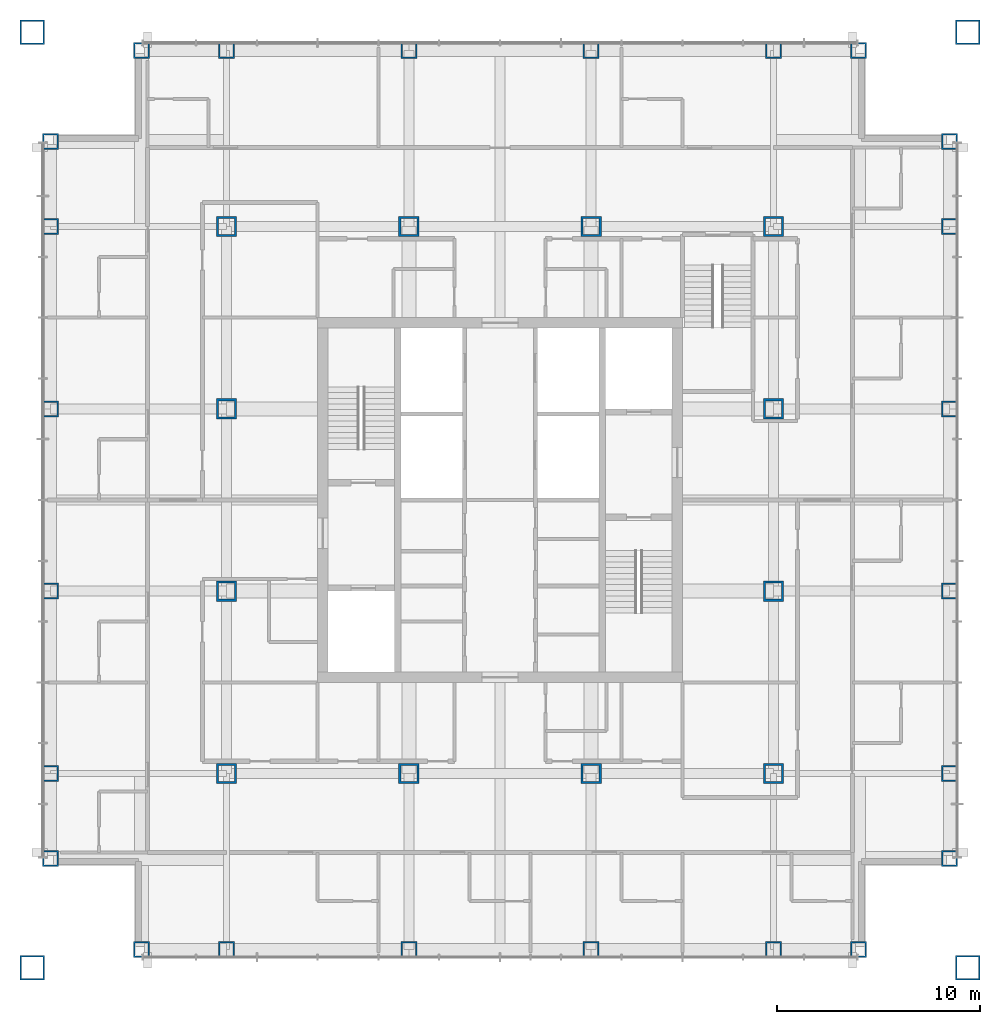
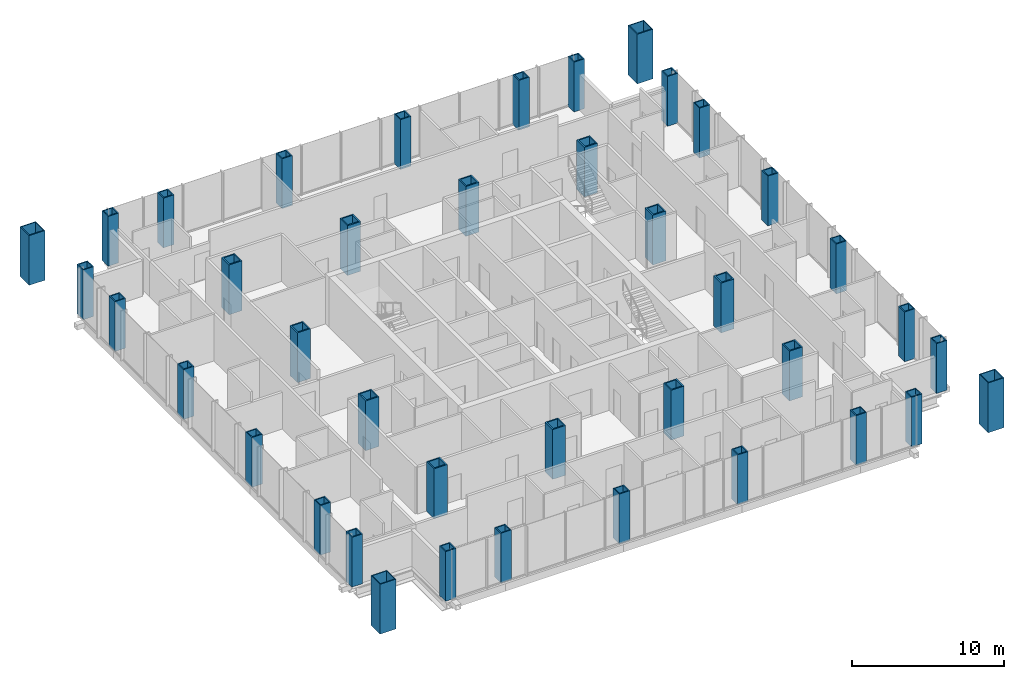
# One storey, part 1 of 11: 40 columns.
"""IFC4 building model written with IfcOpenShell, lengths in metres."""

from ifc_helpers import new_model, si_unit, direction, frame, origin, origin_2d, place, context, subcontext, project, spatial, hollow_rectangle, extrude, material, material_profile, profile_set, type_object, element, save


model = new_model("IFC4")

# Units and contexts
model_context = context("Model", 3, precision=1e-05, world=origin(), true_north=direction((0.0, 1.0)))
body_context = subcontext(model_context, "Body", "Model", "MODEL_VIEW")
ifc_project = project(units=[si_unit("LENGTHUNIT", "METRE"), si_unit("AREAUNIT", "SQUARE_METRE"), si_unit("VOLUMEUNIT", "CUBIC_METRE"), si_unit("PLANEANGLEUNIT", "RADIAN"), si_unit("MASSUNIT", "GRAM", prefix="KILO")], contexts=[model_context])

# Site, building, storey
site_placement = place(None, origin())
site = spatial("IfcSite", under=ifc_project, at=site_placement, CompositionType="ELEMENT")
building_placement = place(site_placement, origin())
building = spatial("IfcBuilding", under=site, at=building_placement, Name="Malebo Sky Hospital", CompositionType="ELEMENT")
storey_placement = place(building_placement, frame((0.0, 0.0, 205.0)))
storey = spatial("IfcBuildingStorey", under=building, at=storey_placement, Name="L49", CompositionType="ELEMENT", Elevation=205.0)

# Columns
ifc_material = material(Name="Steel S460", Category="steel")
ifc_material_profile_1 = material_profile(ifc_material, hollow_rectangle(XDim=1.0, YDim=1.0, WallThickness=0.10009765625, at=origin_2d()), Name="BOX 1000x1000x100")
ifc_profile_set_1 = profile_set([ifc_material_profile_1], Name="Steel S460")
column_type_1 = type_object("IfcColumnType", Name="INNER COLUMN BOX 1000x1000x100", PredefinedType="COLUMN", material=ifc_profile_set_1)
for number, where, z_axis, x_axis, name in (
    (1, (46.5, 48.5, 0.0), (0.0, 0.0, 1.0), (1.0, 0.0, 0.0), "Column IC9 L49"),
    (2, (73.5, 48.5, 0.0), (0.0, 0.0, 1.0), (1.0, 0.0, 0.0), "Column IC9 L49"),
    (3, (73.5, 75.5, 0.0), (0.0, 0.0, 1.0), (1.0, 0.0, 0.0), "Column IC9 L49"),
    (4, (46.5, 75.5, 0.0), (0.0, 0.0, 1.0), (1.0, 0.0, 0.0), "Column IC9 L49"),
    (5, (55.5, 48.5, 0.0), (0.0, 0.0, 1.0), (1.0, 0.0, 0.0), "Column IC9 L49"),
    (6, (64.5, 48.5, 0.0), (0.0, 0.0, 1.0), (1.0, 0.0, 0.0), "Column IC9 L49"),
    (7, (55.5, 75.5, 0.0), (0.0, 0.0, 1.0), (1.0, 0.0, 0.0), "Column IC9 L49"),
    (8, (64.5, 75.5, 0.0), (0.0, 0.0, 1.0), (1.0, 0.0, 0.0), "Column IC9 L49"),
    (9, (46.5, 57.5, 0.0), (0.0, 0.0, 1.0), (1.0, 0.0, 0.0), "Column IC9 L49"),
    (10, (46.5, 66.5, 0.0), (0.0, 0.0, 1.0), (1.0, 0.0, 0.0), "Column IC9 L49"),
    (11, (73.5, 57.5, 0.0), (0.0, 0.0, 1.0), (1.0, 0.0, 0.0), "Column IC9 L49"),
    (12, (73.5, 66.5, 0.0), (0.0, 0.0, 1.0), (1.0, 0.0, 0.0), "Column IC9 L49"),
):
    element("IfcColumn", number, at=place(storey_placement, frame(where, z_axis=z_axis, x_axis=x_axis)), inside=storey, type_object=column_type_1, Name=name, PredefinedType="COLUMN", context=body_context, shape_type="SweptSolid", body=[
        extrude(hollow_rectangle(XDim=1.0, YDim=1.0, WallThickness=0.10009765625, at=origin_2d()), origin(), (0.0, 0.0, 1.0), 4.0),
    ])
ifc_material_profile_2 = material_profile(ifc_material, hollow_rectangle(XDim=1.199951171875, YDim=1.199951171875, WallThickness=0.070068359375, at=origin_2d()), Name="BOX 1200x1200x70")
ifc_profile_set_2 = profile_set([ifc_material_profile_2], Name="Steel S460")
column_type_2 = type_object("IfcColumnType", Name="MEGA COLUMN BOX 1200x1200x70", PredefinedType="COLUMN", material=ifc_profile_set_2)
for number, where, z_axis, x_axis, name in (
    (13, (36.89990234375, 38.89990234375, 0.0), (0.0, 0.0, 1.0), (1.0, 0.0, 0.0), "Mega column SW L49"),
    (14, (83.10009765625, 38.89990234375, 0.0), (0.0, 0.0, 1.0), (1.0, 0.0, 0.0), "Mega column SE L49"),
    (15, (83.10009765625, 85.10009765625, 0.0), (0.0, 0.0, 1.0), (1.0, 0.0, 0.0), "Mega column NE L49"),
    (16, (36.89990234375, 85.10009765625, 0.0), (0.0, 0.0, 1.0), (1.0, 0.0, 0.0), "Mega column NW L49"),
):
    element("IfcColumn", number, at=place(storey_placement, frame(where, z_axis=z_axis, x_axis=x_axis)), inside=storey, type_object=column_type_2, Name=name, PredefinedType="COLUMN", context=body_context, shape_type="SweptSolid", body=[
        extrude(hollow_rectangle(XDim=1.199951171875, YDim=1.199951171875, WallThickness=0.070068359375, at=origin_2d()), origin(), (0.0, 0.0, 1.0), 4.0),
    ])
ifc_material_profile_3 = material_profile(ifc_material, hollow_rectangle(XDim=0.800048828125, YDim=0.800048828125, WallThickness=0.080078125, at=origin_2d()), Name="BOX 800x800x80")
ifc_profile_set_3 = profile_set([ifc_material_profile_3], Name="Steel S460")
column_type_3 = type_object("IfcColumnType", Name="PERIMETER COLUMN BOX 800x800x80", PredefinedType="COLUMN", material=ifc_profile_set_3)
for number, where, z_axis, x_axis, name in (
    (17, (42.300048828125, 39.800048828125, 0.0), (0.0, 0.0, 1.0), (1.0, 0.0, 0.0), "Column PC7 L49"),
    (18, (42.300048828125, 84.199951171875, 0.0), (0.0, 0.0, 1.0), (1.0, 0.0, 0.0), "Column PC7 L49"),
    (19, (37.800048828125, 44.300048828125, 0.0), (0.0, 0.0, 1.0), (1.0, 0.0, 0.0), "Column PC7 L49"),
    (20, (82.199951171875, 44.300048828125, 0.0), (0.0, 0.0, 1.0), (1.0, 0.0, 0.0), "Column PC7 L49"),
    (21, (46.5, 39.800048828125, 0.0), (0.0, 0.0, 1.0), (1.0, 0.0, 0.0), "Column PC7 L49"),
    (22, (46.5, 84.199951171875, 0.0), (0.0, 0.0, 1.0), (1.0, 0.0, 0.0), "Column PC7 L49"),
    (23, (37.800048828125, 48.5, 0.0), (0.0, 0.0, 1.0), (1.0, 0.0, 0.0), "Column PC7 L49"),
    (24, (82.199951171875, 48.5, 0.0), (0.0, 0.0, 1.0), (1.0, 0.0, 0.0), "Column PC7 L49"),
    (25, (55.5, 39.800048828125, 0.0), (0.0, 0.0, 1.0), (1.0, 0.0, 0.0), "Column PC7 L49"),
    (26, (55.5, 84.199951171875, 0.0), (0.0, 0.0, 1.0), (1.0, 0.0, 0.0), "Column PC7 L49"),
    (27, (37.800048828125, 57.5, 0.0), (0.0, 0.0, 1.0), (1.0, 0.0, 0.0), "Column PC7 L49"),
    (28, (82.199951171875, 57.5, 0.0), (0.0, 0.0, 1.0), (1.0, 0.0, 0.0), "Column PC7 L49"),
    (29, (64.5, 39.800048828125, 0.0), (0.0, 0.0, 1.0), (1.0, 0.0, 0.0), "Column PC7 L49"),
    (30, (64.5, 84.199951171875, 0.0), (0.0, 0.0, 1.0), (1.0, 0.0, 0.0), "Column PC7 L49"),
    (31, (37.800048828125, 66.5, 0.0), (0.0, 0.0, 1.0), (1.0, 0.0, 0.0), "Column PC7 L49"),
    (32, (82.199951171875, 66.5, 0.0), (0.0, 0.0, 1.0), (1.0, 0.0, 0.0), "Column PC7 L49"),
    (33, (73.5, 39.800048828125, 0.0), (0.0, 0.0, 1.0), (1.0, 0.0, 0.0), "Column PC7 L49"),
    (34, (73.5, 84.199951171875, 0.0), (0.0, 0.0, 1.0), (1.0, 0.0, 0.0), "Column PC7 L49"),
    (35, (37.800048828125, 75.5, 0.0), (0.0, 0.0, 1.0), (1.0, 0.0, 0.0), "Column PC7 L49"),
    (36, (82.199951171875, 75.5, 0.0), (0.0, 0.0, 1.0), (1.0, 0.0, 0.0), "Column PC7 L49"),
    (37, (77.699951171875, 39.800048828125, 0.0), (0.0, 0.0, 1.0), (1.0, 0.0, 0.0), "Column PC7 L49"),
    (38, (77.699951171875, 84.199951171875, 0.0), (0.0, 0.0, 1.0), (1.0, 0.0, 0.0), "Column PC7 L49"),
    (39, (37.800048828125, 79.699951171875, 0.0), (0.0, 0.0, 1.0), (1.0, 0.0, 0.0), "Column PC7 L49"),
    (40, (82.199951171875, 79.699951171875, 0.0), (0.0, 0.0, 1.0), (1.0, 0.0, 0.0), "Column PC7 L49"),
):
    element("IfcColumn", number, at=place(storey_placement, frame(where, z_axis=z_axis, x_axis=x_axis)), inside=storey, type_object=column_type_3, Name=name, PredefinedType="COLUMN", context=body_context, shape_type="SweptSolid", body=[
        extrude(hollow_rectangle(XDim=0.800048828125, YDim=0.800048828125, WallThickness=0.080078125, at=origin_2d()), origin(), (0.0, 0.0, 1.0), 4.0),
    ])

save(model, "model.ifc")
